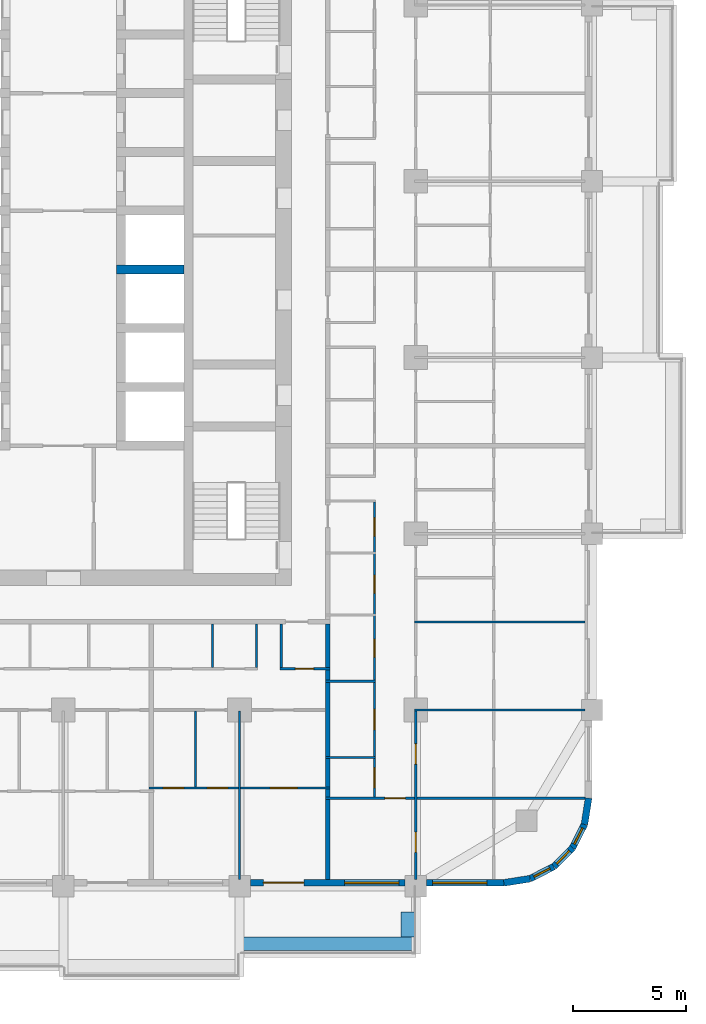
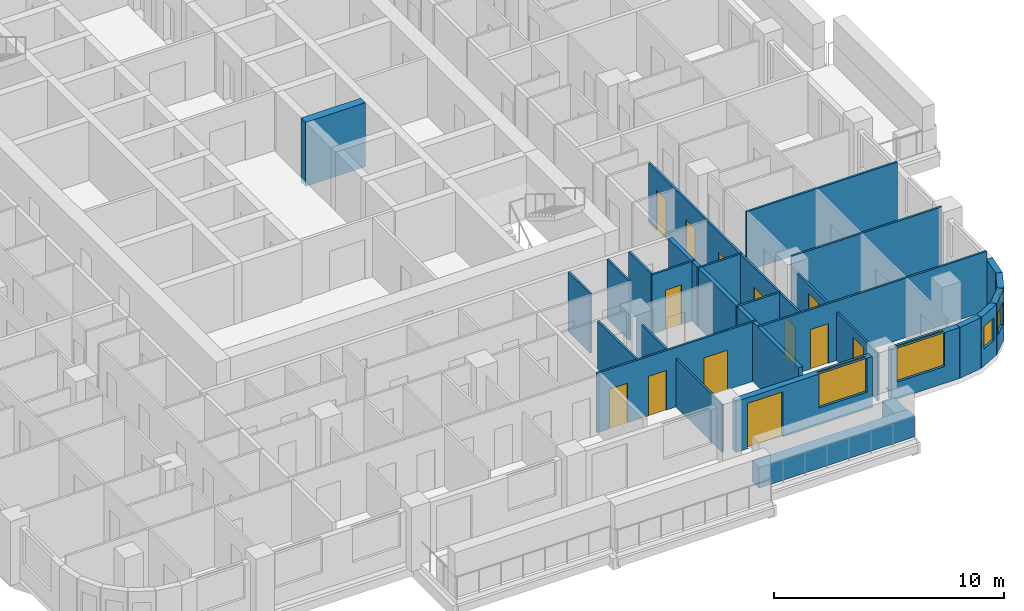
# One storey, part 7 of 17: 25 walls, 13 doors, 5 windows, 18 openings.
"""IFC4 building model written with IfcOpenShell, lengths in metres."""

from ifc_helpers import new_model, si_unit, direction, frame, frame_2d, origin, place, context, subcontext, project, spatial, rectangle, extrude, material, layer, layer_set, type_object, element, fill, save


model = new_model("IFC4")

# Units and contexts
model_context = context("Model", 3, precision=1e-05, world=origin(), true_north=direction((0.0, 1.0)))
body_context = subcontext(model_context, "Body", "Model", "MODEL_VIEW")
ifc_project = project(units=[si_unit("LENGTHUNIT", "METRE"), si_unit("AREAUNIT", "SQUARE_METRE"), si_unit("VOLUMEUNIT", "CUBIC_METRE"), si_unit("PLANEANGLEUNIT", "RADIAN"), si_unit("MASSUNIT", "GRAM", prefix="KILO")], contexts=[model_context])

# Site, building, storey
site_placement = place(None, origin())
site = spatial("IfcSite", under=ifc_project, at=site_placement, CompositionType="ELEMENT")
building_placement = place(site_placement, origin())
building = spatial("IfcBuilding", under=site, at=building_placement, Name="Ludao Terraces", CompositionType="ELEMENT")
storey_placement = place(building_placement, frame((0.0, 0.0, 88.60009765625)))
storey = spatial("IfcBuildingStorey", under=building, at=storey_placement, Name="L24", CompositionType="ELEMENT", Elevation=88.60009765625)

# Walls
ifc_material_1 = material(Name="Concrete C40", Category="concrete")
ifc_layer_1 = layer(ifc_material_1, 0.60009765625)
ifc_layer_set_1 = layer_set([ifc_layer_1], Name="ENV Planter trough 600")
wall_type_1 = type_object("IfcWallType", Name="ENV Planter trough 600", PredefinedType="USERDEFINED", material=ifc_layer_set_1)
wall_1_placement = place(storey_placement, frame((92.800048828125, 39.050048828125, 0.0), z_axis=(0.0, 0.0, 1.0), x_axis=(1.0, 0.0, 0.0)))
element("IfcWall", 1, at=wall_1_placement, inside=storey, type_object=wall_type_1, Name="PL-L24-S4", ObjectType="PLANTER", PredefinedType="USERDEFINED", context=body_context, shape_type="SweptSolid", body=[
    extrude(rectangle(XDim=7.800048828125, YDim=0.60009765625, at=frame_2d((3.89990234375, 0.0))), origin(), (0.0, 0.0, 1.0), 1.099853515625),
])
wall_2_placement = place(storey_placement, frame((100.25, 39.35009765625, 0.0), z_axis=(0.0, 0.0, 1.0), x_axis=(0.0, 1.0, 0.0)))
element("IfcWall", 2, at=wall_2_placement, inside=storey, type_object=wall_type_1, Name="PL-L24-S4-SB", ObjectType="PLANTER", PredefinedType="USERDEFINED", context=body_context, shape_type="SweptSolid", body=[
    extrude(rectangle(XDim=1.099853515625, YDim=0.60009765625, at=frame_2d((0.5498046875, 0.0))), origin(), (0.0, 0.0, 1.0), 1.099853515625),
])

# Wall, openings, door, window
ifc_material_2 = material(Name="Granite cladding", Category="masonry")
ifc_layer_2 = layer(ifc_material_2, 0.0400390625, Category="stone")
ifc_material_3 = material(Name="Mineral wool")
ifc_layer_3 = layer(ifc_material_3, 0.06005859375)
ifc_layer_4 = layer(ifc_material_1, 0.199951171875, Category="concrete")
ifc_layer_set_2 = layer_set([ifc_layer_2, ifc_layer_3, ifc_layer_4], Name="ENV Stone-clad wall 300")
wall_type_2 = type_object("IfcWallType", Name="ENV Stone-clad wall 300", PredefinedType="SOLIDWALL", material=ifc_layer_set_2)
wall_3_placement = place(storey_placement, frame((93.27490234375, 41.75, 0.0), z_axis=(0.0, 0.0, 1.0), x_axis=(1.0, 0.0, 0.0)))
wall_3 = element("IfcWall", 3, at=wall_3_placement, inside=storey, type_object=wall_type_2, Name="EW-L24-S5", PredefinedType="SOLIDWALL", context=body_context, shape_type="SweptSolid", body=[
    extrude(rectangle(XDim=6.85009765625, YDim=0.300048828125, at=frame_2d((3.425048828125, 0.0))), origin(), (0.0, 0.0, 1.0), 2.699951171875),
])
opening_1_placement = place(wall_3_placement, frame((0.574951171875, 0.0, 0.0)))
opening_1 = element("IfcOpeningElement", 4, at=opening_1_placement, cuts=wall_3, Name="Opening BD", PredefinedType="OPENING", context=body_context, shape_type="SweptSolid", body=[
    extrude(rectangle(XDim=1.800048828125, YDim=2.39990234375, at=frame_2d((0.89990234375, 1.199951171875))), frame((0.0, 0.16015625, 0.0), z_axis=(0.0, -1.0, 0.0), x_axis=(1.0, 0.0, 0.0)), (0.0, 0.0, 1.0), 0.320068359375),
])
opening_2_placement = place(wall_3_placement, frame((4.175048828125, 0.0, 0.89990234375)))
opening_2 = element("IfcOpeningElement", 5, at=opening_2_placement, cuts=wall_3, Name="Opening W1", PredefinedType="OPENING", context=body_context, shape_type="SweptSolid", body=[
    extrude(rectangle(XDim=2.39990234375, YDim=1.800048828125, at=frame_2d((1.199951171875, 0.89990234375))), frame((0.0, 0.16015625, 0.0), z_axis=(0.0, -1.0, 0.0), x_axis=(1.0, 0.0, 0.0)), (0.0, 0.0, 1.0), 0.320068359375),
])
ifc_material_4 = material(Name="Aluminium glazed door", Category="aluminium")
ifc_layer_5 = layer(ifc_material_4, 0.06005859375)
ifc_layer_set_3 = layer_set([ifc_layer_5], Name="ENV Balcony door BD 1800x2400")
door_type_1 = type_object("IfcDoorType", Name="ENV Balcony door BD 1800x2400", OperationType="DOUBLE_DOOR_SINGLE_SWING", PredefinedType="DOOR", material=ifc_layer_set_3)
door_1_placement = place(opening_1_placement, origin())
door_1 = element("IfcDoor", 6, at=door_1_placement, inside=storey, type_object=door_type_1, Name="BD-L24-S5-1", OperationType="DOUBLE_DOOR_SINGLE_SWING", OverallHeight=2.39990234375, OverallWidth=1.800048828125, PredefinedType="DOOR", context=body_context, shape_type="SweptSolid", body=[
    extrude(rectangle(XDim=1.800048828125, YDim=2.39990234375, at=frame_2d((0.89990234375, 1.199951171875))), frame((0.0, 0.02490234375, 0.0), z_axis=(0.0, -1.0, 0.0), x_axis=(1.0, 0.0, 0.0)), (0.0, 0.0, 1.0), 0.050048828125),
])
fill(opening_1, door_1)
ifc_material_5 = material(Name="Clear glass in aluminium frame", Category="aluminium")
ifc_layer_6 = layer(ifc_material_5, 0.06005859375)
ifc_layer_set_4 = layer_set([ifc_layer_6], Name="ENV Window W1 2400x1800")
window_type_1 = type_object("IfcWindowType", Name="ENV Window W1 2400x1800", PartitioningType="DOUBLE_PANEL_VERTICAL", PredefinedType="WINDOW", material=ifc_layer_set_4)
window_1_placement = place(opening_2_placement, origin())
window_1 = element("IfcWindow", 7, at=window_1_placement, inside=storey, type_object=window_type_1, Name="W-L24-S5-2", OverallHeight=1.800048828125, OverallWidth=2.39990234375, PartitioningType="DOUBLE_PANEL_VERTICAL", PredefinedType="WINDOW", context=body_context, shape_type="SweptSolid", body=[
    extrude(rectangle(XDim=2.39990234375, YDim=1.800048828125, at=frame_2d((1.199951171875, 0.89990234375))), frame((0.0, 0.030029296875, 0.0), z_axis=(0.0, -1.0, 0.0), x_axis=(1.0, 0.0, 0.0)), (0.0, 0.0, 1.0), 0.06005859375),
])
fill(opening_2, window_1)

# Wall, opening, window
wall_4_placement = place(storey_placement, frame((101.074951171875, 41.75, 0.0), z_axis=(0.0, 0.0, 1.0), x_axis=(1.0, 0.0, 0.0)))
wall_4 = element("IfcWall", 8, at=wall_4_placement, inside=storey, type_object=wall_type_2, Name="EW-L24-S6", PredefinedType="SOLIDWALL", context=body_context, shape_type="SweptSolid", body=[
    extrude(rectangle(XDim=3.425048828125, YDim=0.300048828125, at=frame_2d((1.71240234375, 0.0))), origin(), (0.0, 0.0, 1.0), 2.699951171875),
])
opening_3_placement = place(wall_4_placement, frame((0.27490234375, 0.0, 0.89990234375)))
opening_3 = element("IfcOpeningElement", 9, at=opening_3_placement, cuts=wall_4, Name="Opening W1", PredefinedType="OPENING", context=body_context, shape_type="SweptSolid", body=[
    extrude(rectangle(XDim=2.39990234375, YDim=1.800048828125, at=frame_2d((1.199951171875, 0.89990234375))), frame((0.0, 0.16015625, 0.0), z_axis=(0.0, -1.0, 0.0), x_axis=(1.0, 0.0, 0.0)), (0.0, 0.0, 1.0), 0.320068359375),
])
window_2_placement = place(opening_3_placement, origin())
window_2 = element("IfcWindow", 10, at=window_2_placement, inside=storey, type_object=window_type_1, Name="W-L24-S6-1", OverallHeight=1.800048828125, OverallWidth=2.39990234375, PartitioningType="DOUBLE_PANEL_VERTICAL", PredefinedType="WINDOW", context=body_context, shape_type="SweptSolid", body=[
    extrude(rectangle(XDim=2.39990234375, YDim=1.800048828125, at=frame_2d((1.199951171875, 0.89990234375))), frame((0.0, 0.030029296875, 0.0), z_axis=(0.0, -1.0, 0.0), x_axis=(1.0, 0.0, 0.0)), (0.0, 0.0, 1.0), 0.06005859375),
])
fill(opening_3, window_2)

# Wall
wall_5_placement = place(storey_placement, frame((104.5, 41.75, 0.0), z_axis=(0.0, 0.0, 1.0), x_axis=(0.987678452879, 0.156496880861, 0.0)))
element("IfcWall", 11, at=wall_5_placement, inside=storey, type_object=wall_type_2, Name="EW-L24-SE1", PredefinedType="SOLIDWALL", context=body_context, shape_type="SweptSolid", body=[
    extrude(rectangle(XDim=1.173095703125, YDim=0.300048828125, at=frame_2d((0.58642578125, 0.0))), origin(), (0.0, 0.0, 1.0), 2.699951171875),
])

# Wall, opening, window
wall_6_placement = place(storey_placement, frame((105.65869140625, 41.93359375, 0.0), z_axis=(0.0, 0.0, 1.0), x_axis=(0.890988677504, 0.454025524128, 0.0)))
wall_6 = element("IfcWall", 12, at=wall_6_placement, inside=storey, type_object=wall_type_2, Name="EW-L24-SE2", PredefinedType="SOLIDWALL", context=body_context, shape_type="SweptSolid", body=[
    extrude(rectangle(XDim=1.17333984375, YDim=0.300048828125, at=frame_2d((0.586669921875, 0.0))), origin(), (0.0, 0.0, 1.0), 2.699951171875),
])
opening_4_placement = place(wall_6_placement, frame((0.1865234375, 0.0, 0.89990234375)))
opening_4 = element("IfcOpeningElement", 13, at=opening_4_placement, cuts=wall_6, Name="Opening W3", PredefinedType="OPENING", context=body_context, shape_type="SweptSolid", body=[
    extrude(rectangle(XDim=0.800048828125, YDim=1.199951171875, at=frame_2d((0.39990234375, 0.60009765625))), frame((0.0, 0.16015625, 0.0), z_axis=(0.0, -1.0, 0.0), x_axis=(1.0, 0.0, 0.0)), (0.0, 0.0, 1.0), 0.320068359375),
])
ifc_layer_7 = layer(ifc_material_5, 0.06005859375)
ifc_layer_set_5 = layer_set([ifc_layer_7], Name="ENV Window W3 800x1200")
window_type_2 = type_object("IfcWindowType", Name="ENV Window W3 800x1200", PartitioningType="SINGLE_PANEL", PredefinedType="WINDOW", material=ifc_layer_set_5)
window_3_placement = place(opening_4_placement, origin())
window_3 = element("IfcWindow", 14, at=window_3_placement, inside=storey, type_object=window_type_2, Name="W-L24-SE2", OverallHeight=1.199951171875, OverallWidth=0.800048828125, PartitioningType="SINGLE_PANEL", PredefinedType="WINDOW", context=body_context, shape_type="SweptSolid", body=[
    extrude(rectangle(XDim=0.800048828125, YDim=1.199951171875, at=frame_2d((0.39990234375, 0.60009765625))), frame((0.0, 0.030029296875, 0.0), z_axis=(0.0, -1.0, 0.0), x_axis=(1.0, 0.0, 0.0)), (0.0, 0.0, 1.0), 0.06005859375),
])
fill(opening_4, window_3)

wall_7_placement = place(storey_placement, frame((106.7041015625, 42.46630859375, 0.0), z_axis=(0.0, 0.0, 1.0), x_axis=(0.707106781187, 0.707106781187, 0.0)))
wall_7 = element("IfcWall", 15, at=wall_7_placement, inside=storey, type_object=wall_type_2, Name="EW-L24-SE3", PredefinedType="SOLIDWALL", context=body_context, shape_type="SweptSolid", body=[
    extrude(rectangle(XDim=1.173095703125, YDim=0.300048828125, at=frame_2d((0.58642578125, 0.0))), origin(), (0.0, 0.0, 1.0), 2.699951171875),
])
opening_5_placement = place(wall_7_placement, frame((0.1865234375, 0.0, 0.89990234375)))
opening_5 = element("IfcOpeningElement", 16, at=opening_5_placement, cuts=wall_7, Name="Opening W3", PredefinedType="OPENING", context=body_context, shape_type="SweptSolid", body=[
    extrude(rectangle(XDim=0.800048828125, YDim=1.199951171875, at=frame_2d((0.39990234375, 0.60009765625))), frame((0.0, 0.16015625, 0.0), z_axis=(0.0, -1.0, 0.0), x_axis=(1.0, 0.0, 0.0)), (0.0, 0.0, 1.0), 0.320068359375),
])
window_4_placement = place(opening_5_placement, origin())
window_4 = element("IfcWindow", 17, at=window_4_placement, inside=storey, type_object=window_type_2, Name="W-L24-SE3", OverallHeight=1.199951171875, OverallWidth=0.800048828125, PartitioningType="SINGLE_PANEL", PredefinedType="WINDOW", context=body_context, shape_type="SweptSolid", body=[
    extrude(rectangle(XDim=0.800048828125, YDim=1.199951171875, at=frame_2d((0.39990234375, 0.60009765625))), frame((0.0, 0.030029296875, 0.0), z_axis=(0.0, -1.0, 0.0), x_axis=(1.0, 0.0, 0.0)), (0.0, 0.0, 1.0), 0.06005859375),
])
fill(opening_5, window_4)

wall_8_placement = place(storey_placement, frame((107.53369140625, 43.2958984375, 0.0), z_axis=(0.0, 0.0, 1.0), x_axis=(0.454025524128, 0.890988677504, 0.0)))
wall_8 = element("IfcWall", 18, at=wall_8_placement, inside=storey, type_object=wall_type_2, Name="EW-L24-SE4", PredefinedType="SOLIDWALL", context=body_context, shape_type="SweptSolid", body=[
    extrude(rectangle(XDim=1.17333984375, YDim=0.300048828125, at=frame_2d((0.586669921875, 0.0))), origin(), (0.0, 0.0, 1.0), 2.699951171875),
])
opening_6_placement = place(wall_8_placement, frame((0.1865234375, 0.0, 0.89990234375)))
opening_6 = element("IfcOpeningElement", 19, at=opening_6_placement, cuts=wall_8, Name="Opening W3", PredefinedType="OPENING", context=body_context, shape_type="SweptSolid", body=[
    extrude(rectangle(XDim=0.800048828125, YDim=1.199951171875, at=frame_2d((0.39990234375, 0.60009765625))), frame((0.0, 0.16015625, 0.0), z_axis=(0.0, -1.0, 0.0), x_axis=(1.0, 0.0, 0.0)), (0.0, 0.0, 1.0), 0.320068359375),
])
window_5_placement = place(opening_6_placement, origin())
window_5 = element("IfcWindow", 20, at=window_5_placement, inside=storey, type_object=window_type_2, Name="W-L24-SE4", OverallHeight=1.199951171875, OverallWidth=0.800048828125, PartitioningType="SINGLE_PANEL", PredefinedType="WINDOW", context=body_context, shape_type="SweptSolid", body=[
    extrude(rectangle(XDim=0.800048828125, YDim=1.199951171875, at=frame_2d((0.39990234375, 0.60009765625))), frame((0.0, 0.030029296875, 0.0), z_axis=(0.0, -1.0, 0.0), x_axis=(1.0, 0.0, 0.0)), (0.0, 0.0, 1.0), 0.06005859375),
])
fill(opening_6, window_5)

# Wall
wall_9_placement = place(storey_placement, frame((108.06640625, 44.34130859375, 0.0), z_axis=(0.0, 0.0, 1.0), x_axis=(0.156496880861, 0.987678452879, 0.0)))
element("IfcWall", 21, at=wall_9_placement, inside=storey, type_object=wall_type_2, Name="EW-L24-SE5", PredefinedType="SOLIDWALL", context=body_context, shape_type="SweptSolid", body=[
    extrude(rectangle(XDim=1.173095703125, YDim=0.300048828125, at=frame_2d((0.58642578125, 0.0))), origin(), (0.0, 0.0, 1.0), 2.699951171875),
])

# Wall, opening, door
ifc_material_6 = material(Name="Gypsum plasterboard", Category="gypsum")
ifc_layer_8 = layer(ifc_material_6, 0.012451171875, Category="gypsum")
ifc_layer_9 = layer(ifc_material_3, 0.06005859375, Name="insulation")
ifc_material_7 = material(Name="Steel Q235", Category="steel")
ifc_layer_10 = layer(ifc_material_7, 0.014892578125, Name="stud")
ifc_layer_11 = layer(ifc_material_6, 0.012451171875, Category="gypsum")
ifc_layer_set_6 = layer_set([ifc_layer_8, ifc_layer_9, ifc_layer_10, ifc_layer_11], Name="INT Partition 100")
wall_type_3 = type_object("IfcWallType", Name="INT Partition 100", PredefinedType="PARTITIONING", material=ifc_layer_set_6)
wall_10_placement = place(storey_placement, frame((96.60009765625, 45.5, 0.0), z_axis=(0.0, 0.0, 1.0), x_axis=(1.0, 0.0, 0.0)))
wall_10 = element("IfcWall", 22, at=wall_10_placement, inside=storey, type_object=wall_type_3, Name="PW-L24-PW001", PredefinedType="PARTITIONING", context=body_context, shape_type="SweptSolid", body=[
    extrude(rectangle(XDim=11.5, YDim=0.10009765625, at=frame_2d((5.75, 0.0))), origin(), (0.0, 0.0, 1.0), 3.14990234375),
])
opening_7_placement = place(wall_10_placement, frame((2.635009765625, 0.0, 0.0)))
opening_7 = element("IfcOpeningElement", 23, at=opening_7_placement, cuts=wall_10, Name="Opening R07-006", PredefinedType="OPENING", context=body_context, shape_type="SweptSolid", body=[
    extrude(rectangle(XDim=0.89990234375, YDim=2.10009765625, at=frame_2d((0.449951171875, 1.050048828125))), frame((0.0, 0.06005859375, 0.0), z_axis=(0.0, -1.0, 0.0), x_axis=(1.0, 0.0, 0.0)), (0.0, 0.0, 1.0), 0.1201171875),
])
ifc_material_8 = material(Name="Timber door leaf", Category="wood")
door_type_2 = type_object("IfcDoorType", Name="INT Room door 900", OperationType="SINGLE_SWING_LEFT", PredefinedType="DOOR", material=ifc_material_8)
door_2_placement = place(opening_7_placement, origin())
door_2 = element("IfcDoor", 24, at=door_2_placement, inside=storey, type_object=door_type_2, Name="DOOR 006", OperationType="SINGLE_SWING_LEFT", OverallHeight=2.10009765625, OverallWidth=0.89990234375, PredefinedType="DOOR", context=body_context, shape_type="SweptSolid", body=[
    extrude(rectangle(XDim=0.89990234375, YDim=2.10009765625, at=frame_2d((0.449951171875, 1.050048828125))), frame((0.0, 0.02490234375, 0.0), z_axis=(0.0, -1.0, 0.0), x_axis=(1.0, 0.0, 0.0)), (0.0, 0.0, 1.0), 0.050048828125),
])
fill(opening_7, door_2)

# Wall, openings, doors
wall_11_placement = place(storey_placement, frame((88.800048828125, 45.949951171875, 0.0), z_axis=(0.0, 0.0, 1.0), x_axis=(1.0, 0.0, 0.0)))
wall_11 = element("IfcWall", 25, at=wall_11_placement, inside=storey, type_object=wall_type_3, Name="PW-L24-PW003", PredefinedType="PARTITIONING", context=body_context, shape_type="SweptSolid", body=[
    extrude(rectangle(XDim=8.0, YDim=0.10009765625, at=frame_2d((4.0, 0.0))), origin(), (0.0, 0.0, 1.0), 3.14990234375),
])
opening_8_placement = place(wall_11_placement, frame((0.625, 0.0, 0.0)))
opening_8 = element("IfcOpeningElement", 26, at=opening_8_placement, cuts=wall_11, Name="Opening R07-014", PredefinedType="OPENING", context=body_context, shape_type="SweptSolid", body=[
    extrude(rectangle(XDim=0.89990234375, YDim=2.10009765625, at=frame_2d((0.449951171875, 1.050048828125))), frame((0.0, 0.06005859375, 0.0), z_axis=(0.0, -1.0, 0.0), x_axis=(1.0, 0.0, 0.0)), (0.0, 0.0, 1.0), 0.1201171875),
])
opening_9_placement = place(wall_11_placement, frame((2.574951171875, 0.0, 0.0)))
opening_9 = element("IfcOpeningElement", 27, at=opening_9_placement, cuts=wall_11, Name="Opening R07-015", PredefinedType="OPENING", context=body_context, shape_type="SweptSolid", body=[
    extrude(rectangle(XDim=0.89990234375, YDim=2.10009765625, at=frame_2d((0.449951171875, 1.050048828125))), frame((0.0, 0.06005859375, 0.0), z_axis=(0.0, -1.0, 0.0), x_axis=(1.0, 0.0, 0.0)), (0.0, 0.0, 1.0), 0.1201171875),
])
opening_10_placement = place(wall_11_placement, frame((5.35009765625, 0.0, 0.0)))
opening_10 = element("IfcOpeningElement", 28, at=opening_10_placement, cuts=wall_11, Name="Opening R07-016", PredefinedType="OPENING", context=body_context, shape_type="SweptSolid", body=[
    extrude(rectangle(XDim=1.199951171875, YDim=2.10009765625, at=frame_2d((0.60009765625, 1.050048828125))), frame((0.0, 0.06005859375, 0.0), z_axis=(0.0, -1.0, 0.0), x_axis=(1.0, 0.0, 0.0)), (0.0, 0.0, 1.0), 0.1201171875),
])
door_type_3 = type_object("IfcDoorType", Name="INT Bathroom door 900", OperationType="SINGLE_SWING_LEFT", PredefinedType="DOOR", material=ifc_material_8)
door_3_placement = place(opening_8_placement, origin())
door_3 = element("IfcDoor", 29, at=door_3_placement, inside=storey, type_object=door_type_3, Name="DOOR 014", OperationType="SINGLE_SWING_LEFT", OverallHeight=2.10009765625, OverallWidth=0.89990234375, PredefinedType="DOOR", context=body_context, shape_type="SweptSolid", body=[
    extrude(rectangle(XDim=0.89990234375, YDim=2.10009765625, at=frame_2d((0.449951171875, 1.050048828125))), frame((0.0, 0.02490234375, 0.0), z_axis=(0.0, -1.0, 0.0), x_axis=(1.0, 0.0, 0.0)), (0.0, 0.0, 1.0), 0.050048828125),
])
fill(opening_8, door_3)
door_type_4 = type_object("IfcDoorType", Name="INT Double door 1200", OperationType="DOUBLE_DOOR_SINGLE_SWING", PredefinedType="DOOR", material=ifc_material_8)
door_4_placement = place(opening_10_placement, origin())
door_4 = element("IfcDoor", 30, at=door_4_placement, inside=storey, type_object=door_type_4, Name="DOOR 016", OperationType="DOUBLE_DOOR_SINGLE_SWING", OverallHeight=2.10009765625, OverallWidth=1.199951171875, PredefinedType="DOOR", context=body_context, shape_type="SweptSolid", body=[
    extrude(rectangle(XDim=1.199951171875, YDim=2.10009765625, at=frame_2d((0.60009765625, 1.050048828125))), frame((0.0, 0.02490234375, 0.0), z_axis=(0.0, -1.0, 0.0), x_axis=(1.0, 0.0, 0.0)), (0.0, 0.0, 1.0), 0.050048828125),
])
fill(opening_10, door_4)
door_5_placement = place(opening_9_placement, origin())
door_5 = element("IfcDoor", 31, at=door_5_placement, inside=storey, type_object=door_type_2, Name="DOOR 015", OperationType="SINGLE_SWING_RIGHT", OverallHeight=2.10009765625, OverallWidth=0.89990234375, PredefinedType="DOOR", context=body_context, shape_type="SweptSolid", body=[
    extrude(rectangle(XDim=0.89990234375, YDim=2.10009765625, at=frame_2d((0.449951171875, 1.050048828125))), frame((0.0, 0.02490234375, 0.0), z_axis=(0.0, -1.0, 0.0), x_axis=(1.0, 0.0, 0.0)), (0.0, 0.0, 1.0), 0.050048828125),
])
fill(opening_9, door_5)

# Walls
wall_12_placement = place(storey_placement, frame((96.60009765625, 47.300048828125, 0.0), z_axis=(0.0, 0.0, 1.0), x_axis=(1.0, 0.0, 0.0)))
element("IfcWall", 32, at=wall_12_placement, inside=storey, type_object=wall_type_3, Name="PW-L24-PW004", PredefinedType="PARTITIONING", context=body_context, shape_type="SweptSolid", body=[
    extrude(rectangle(XDim=2.219970703125, YDim=0.10009765625, at=frame_2d((1.10986328125, 0.0))), origin(), (0.0, 0.0, 1.0), 3.14990234375),
])
wall_13_placement = place(storey_placement, frame((100.550048828125, 49.39990234375, 0.0), z_axis=(0.0, 0.0, 1.0), x_axis=(1.0, 0.0, 0.0)))
element("IfcWall", 33, at=wall_13_placement, inside=storey, type_object=wall_type_3, Name="PW-L24-PW009", PredefinedType="PARTITIONING", context=body_context, shape_type="SweptSolid", body=[
    extrude(rectangle(XDim=7.550048828125, YDim=0.10009765625, at=frame_2d((3.77490234375, 0.0))), origin(), (0.0, 0.0, 1.0), 3.14990234375),
])
wall_14_placement = place(storey_placement, frame((96.60009765625, 50.669921875, 0.0), z_axis=(0.0, 0.0, 1.0), x_axis=(1.0, 0.0, 0.0)))
element("IfcWall", 34, at=wall_14_placement, inside=storey, type_object=wall_type_3, Name="PW-L24-PW011", PredefinedType="PARTITIONING", context=body_context, shape_type="SweptSolid", body=[
    extrude(rectangle(XDim=2.219970703125, YDim=0.10009765625, at=frame_2d((1.10986328125, 0.0))), origin(), (0.0, 0.0, 1.0), 3.14990234375),
])

# Wall, opening, door
wall_15_placement = place(storey_placement, frame((94.60009765625, 51.22998046875, 0.0), z_axis=(0.0, 0.0, 1.0), x_axis=(1.0, 0.0, 0.0)))
wall_15 = element("IfcWall", 35, at=wall_15_placement, inside=storey, type_object=wall_type_3, Name="PW-L24-PW014", PredefinedType="PARTITIONING", context=body_context, shape_type="SweptSolid", body=[
    extrude(rectangle(XDim=2.199951171875, YDim=0.10009765625, at=frame_2d((1.10009765625, 0.0))), origin(), (0.0, 0.0, 1.0), 3.14990234375),
])
opening_11_placement = place(wall_15_placement, frame((0.675048828125, 0.0, 0.0)))
opening_11 = element("IfcOpeningElement", 36, at=opening_11_placement, cuts=wall_15, Name="Opening R07-040", PredefinedType="OPENING", context=body_context, shape_type="SweptSolid", body=[
    extrude(rectangle(XDim=0.800048828125, YDim=2.10009765625, at=frame_2d((0.39990234375, 1.050048828125))), frame((0.0, 0.06005859375, 0.0), z_axis=(0.0, -1.0, 0.0), x_axis=(1.0, 0.0, 0.0)), (0.0, 0.0, 1.0), 0.1201171875),
])
door_type_5 = type_object("IfcDoorType", Name="INT Store door 800", OperationType="SINGLE_SWING_LEFT", PredefinedType="DOOR", material=ifc_material_8)
door_6_placement = place(opening_11_placement, origin())
door_6 = element("IfcDoor", 37, at=door_6_placement, inside=storey, type_object=door_type_5, Name="DOOR 040", OperationType="SINGLE_SWING_LEFT", OverallHeight=2.10009765625, OverallWidth=0.800048828125, PredefinedType="DOOR", context=body_context, shape_type="SweptSolid", body=[
    extrude(rectangle(XDim=0.800048828125, YDim=2.10009765625, at=frame_2d((0.39990234375, 1.050048828125))), frame((0.0, 0.02490234375, 0.0), z_axis=(0.0, -1.0, 0.0), x_axis=(1.0, 0.0, 0.0)), (0.0, 0.0, 1.0), 0.050048828125),
])
fill(opening_11, door_6)

# Walls
wall_16_placement = place(storey_placement, frame((100.550048828125, 53.300048828125, 0.0), z_axis=(0.0, 0.0, 1.0), x_axis=(1.0, 0.0, 0.0)))
element("IfcWall", 38, at=wall_16_placement, inside=storey, type_object=wall_type_3, Name="PW-L24-PW018", PredefinedType="PARTITIONING", context=body_context, shape_type="SweptSolid", body=[
    extrude(rectangle(XDim=7.550048828125, YDim=0.10009765625, at=frame_2d((3.77490234375, 0.0))), origin(), (0.0, 0.0, 1.0), 3.14990234375),
])
wall_17_placement = place(storey_placement, frame((90.85009765625, 46.0, 0.0), z_axis=(0.0, 0.0, 1.0), x_axis=(0.0, 1.0, 0.0)))
element("IfcWall", 39, at=wall_17_placement, inside=storey, type_object=wall_type_3, Name="PW-L24-PW108", PredefinedType="PARTITIONING", context=body_context, shape_type="SweptSolid", body=[
    extrude(rectangle(XDim=3.35009765625, YDim=0.10009765625, at=frame_2d((1.675048828125, 0.0))), origin(), (0.0, 0.0, 1.0), 3.14990234375),
])
wall_18_placement = place(storey_placement, frame((91.60009765625, 51.280029296875, 0.0), z_axis=(0.0, 0.0, 1.0), x_axis=(0.0, 1.0, 0.0)))
element("IfcWall", 40, at=wall_18_placement, inside=storey, type_object=wall_type_3, Name="PW-L24-PW109", PredefinedType="PARTITIONING", context=body_context, shape_type="SweptSolid", body=[
    extrude(rectangle(XDim=1.920166015625, YDim=0.10009765625, at=frame_2d((0.9599609375, 0.0))), origin(), (0.0, 0.0, 1.0), 3.14990234375),
])
wall_19_placement = place(storey_placement, frame((92.800048828125, 41.900146484375, 0.0), z_axis=(0.0, 0.0, 1.0), x_axis=(0.0, 1.0, 0.0)))
element("IfcWall", 41, at=wall_19_placement, inside=storey, type_object=wall_type_3, Name="PW-L24-PW110", PredefinedType="PARTITIONING", context=body_context, shape_type="SweptSolid", body=[
    extrude(rectangle(XDim=7.449951171875, YDim=0.10009765625, at=frame_2d((3.72509765625, 0.0))), origin(), (0.0, 0.0, 1.0), 2.5498046875),
])
for number, where, z_axis, x_axis, name in (
    (42, (93.550048828125, 51.280029296875, 0.0), (0.0, 0.0, 1.0), (0.0, 1.0, 0.0), "PW-L24-PW112"),
    (43, (94.64990234375, 51.280029296875, 0.0), (0.0, 0.0, 1.0), (0.0, 1.0, 0.0), "PW-L24-PW113"),
):
    element("IfcWall", number, at=place(storey_placement, frame(where, z_axis=z_axis, x_axis=x_axis)), inside=storey, type_object=wall_type_3, Name=name, PredefinedType="PARTITIONING", context=body_context, shape_type="SweptSolid", body=[
        extrude(rectangle(XDim=1.920166015625, YDim=0.10009765625, at=frame_2d((0.9599609375, 0.0))), origin(), (0.0, 0.0, 1.0), 3.14990234375),
    ])

# Wall, openings, doors
wall_20_placement = place(storey_placement, frame((98.77001953125, 45.550048828125, 0.0), z_axis=(0.0, 0.0, 1.0), x_axis=(0.0, 1.0, 0.0)))
wall_20 = element("IfcWall", 44, at=wall_20_placement, inside=storey, type_object=wall_type_3, Name="PW-L24-PW117", PredefinedType="PARTITIONING", context=body_context, shape_type="SweptSolid", body=[
    extrude(rectangle(XDim=13.050048828125, YDim=0.10009765625, at=frame_2d((6.52490234375, 0.0))), origin(), (0.0, 0.0, 1.0), 3.14990234375),
])
opening_12_placement = place(wall_20_placement, frame((0.39990234375, 0.0, 0.0)))
opening_12 = element("IfcOpeningElement", 45, at=opening_12_placement, cuts=wall_20, Name="Opening R07-017", PredefinedType="OPENING", context=body_context, shape_type="SweptSolid", body=[
    extrude(rectangle(XDim=0.89990234375, YDim=2.10009765625, at=frame_2d((0.449951171875, 1.050048828125))), frame((0.0, 0.06005859375, 0.0), z_axis=(0.0, -1.0, 0.0), x_axis=(1.0, 0.0, 0.0)), (0.0, 0.0, 1.0), 0.1201171875),
])
opening_13_placement = place(wall_20_placement, frame((2.985107421875, 0.0, 0.0)))
opening_13 = element("IfcOpeningElement", 46, at=opening_13_placement, cuts=wall_20, Name="Opening R07-024", PredefinedType="OPENING", context=body_context, shape_type="SweptSolid", body=[
    extrude(rectangle(XDim=0.89990234375, YDim=2.10009765625, at=frame_2d((0.449951171875, 1.050048828125))), frame((0.0, 0.06005859375, 0.0), z_axis=(0.0, -1.0, 0.0), x_axis=(1.0, 0.0, 0.0)), (0.0, 0.0, 1.0), 0.1201171875),
])
opening_14_placement = place(wall_20_placement, frame((6.18505859375, 0.0, 0.0)))
opening_14 = element("IfcOpeningElement", 47, at=opening_14_placement, cuts=wall_20, Name="Opening R07-046", PredefinedType="OPENING", context=body_context, shape_type="SweptSolid", body=[
    extrude(rectangle(XDim=0.800048828125, YDim=2.10009765625, at=frame_2d((0.39990234375, 1.050048828125))), frame((0.0, 0.06005859375, 0.0), z_axis=(0.0, -1.0, 0.0), x_axis=(1.0, 0.0, 0.0)), (0.0, 0.0, 1.0), 0.1201171875),
])
opening_15_placement = place(wall_20_placement, frame((9.02490234375, 0.0, 0.0)))
opening_15 = element("IfcOpeningElement", 48, at=opening_15_placement, cuts=wall_20, Name="Opening R07-052", PredefinedType="OPENING", context=body_context, shape_type="SweptSolid", body=[
    extrude(rectangle(XDim=0.800048828125, YDim=2.10009765625, at=frame_2d((0.39990234375, 1.050048828125))), frame((0.0, 0.06005859375, 0.0), z_axis=(0.0, -1.0, 0.0), x_axis=(1.0, 0.0, 0.0)), (0.0, 0.0, 1.0), 0.1201171875),
])
opening_16_placement = place(wall_20_placement, frame((11.550048828125, 0.0, 0.0)))
opening_16 = element("IfcOpeningElement", 49, at=opening_16_placement, cuts=wall_20, Name="Opening R07-059", PredefinedType="OPENING", context=body_context, shape_type="SweptSolid", body=[
    extrude(rectangle(XDim=0.800048828125, YDim=2.10009765625, at=frame_2d((0.39990234375, 1.050048828125))), frame((0.0, 0.06005859375, 0.0), z_axis=(0.0, -1.0, 0.0), x_axis=(1.0, 0.0, 0.0)), (0.0, 0.0, 1.0), 0.1201171875),
])
door_7_placement = place(opening_12_placement, origin())
door_7 = element("IfcDoor", 50, at=door_7_placement, inside=storey, type_object=door_type_3, Name="DOOR 017", OperationType="SINGLE_SWING_LEFT", OverallHeight=2.10009765625, OverallWidth=0.89990234375, PredefinedType="DOOR", context=body_context, shape_type="SweptSolid", body=[
    extrude(rectangle(XDim=0.89990234375, YDim=2.10009765625, at=frame_2d((0.449951171875, 1.050048828125))), frame((0.0, 0.02490234375, 0.0), z_axis=(0.0, -1.0, 0.0), x_axis=(1.0, 0.0, 0.0)), (0.0, 0.0, 1.0), 0.050048828125),
])
fill(opening_12, door_7)
door_8_placement = place(opening_13_placement, origin())
door_8 = element("IfcDoor", 51, at=door_8_placement, inside=storey, type_object=door_type_2, Name="DOOR 024", OperationType="SINGLE_SWING_LEFT", OverallHeight=2.10009765625, OverallWidth=0.89990234375, PredefinedType="DOOR", context=body_context, shape_type="SweptSolid", body=[
    extrude(rectangle(XDim=0.89990234375, YDim=2.10009765625, at=frame_2d((0.449951171875, 1.050048828125))), frame((0.0, 0.02490234375, 0.0), z_axis=(0.0, -1.0, 0.0), x_axis=(1.0, 0.0, 0.0)), (0.0, 0.0, 1.0), 0.050048828125),
])
fill(opening_13, door_8)
door_9_placement = place(opening_14_placement, origin())
door_9 = element("IfcDoor", 52, at=door_9_placement, inside=storey, type_object=door_type_5, Name="DOOR 046", OperationType="SINGLE_SWING_LEFT", OverallHeight=2.10009765625, OverallWidth=0.800048828125, PredefinedType="DOOR", context=body_context, shape_type="SweptSolid", body=[
    extrude(rectangle(XDim=0.800048828125, YDim=2.10009765625, at=frame_2d((0.39990234375, 1.050048828125))), frame((0.0, 0.02490234375, 0.0), z_axis=(0.0, -1.0, 0.0), x_axis=(1.0, 0.0, 0.0)), (0.0, 0.0, 1.0), 0.050048828125),
])
fill(opening_14, door_9)
door_10_placement = place(opening_15_placement, origin())
door_10 = element("IfcDoor", 53, at=door_10_placement, inside=storey, type_object=door_type_5, Name="DOOR 052", OperationType="SINGLE_SWING_LEFT", OverallHeight=2.10009765625, OverallWidth=0.800048828125, PredefinedType="DOOR", context=body_context, shape_type="SweptSolid", body=[
    extrude(rectangle(XDim=0.800048828125, YDim=2.10009765625, at=frame_2d((0.39990234375, 1.050048828125))), frame((0.0, 0.02490234375, 0.0), z_axis=(0.0, -1.0, 0.0), x_axis=(1.0, 0.0, 0.0)), (0.0, 0.0, 1.0), 0.050048828125),
])
fill(opening_15, door_10)
door_11_placement = place(opening_16_placement, origin())
door_11 = element("IfcDoor", 54, at=door_11_placement, inside=storey, type_object=door_type_5, Name="DOOR 059", OperationType="SINGLE_SWING_LEFT", OverallHeight=2.10009765625, OverallWidth=0.800048828125, PredefinedType="DOOR", context=body_context, shape_type="SweptSolid", body=[
    extrude(rectangle(XDim=0.800048828125, YDim=2.10009765625, at=frame_2d((0.39990234375, 1.050048828125))), frame((0.0, 0.02490234375, 0.0), z_axis=(0.0, -1.0, 0.0), x_axis=(1.0, 0.0, 0.0)), (0.0, 0.0, 1.0), 0.050048828125),
])
fill(opening_16, door_11)

wall_21_placement = place(storey_placement, frame((100.60009765625, 41.900146484375, 0.0), z_axis=(0.0, 0.0, 1.0), x_axis=(0.0, 1.0, 0.0)))
wall_21 = element("IfcWall", 55, at=wall_21_placement, inside=storey, type_object=wall_type_3, Name="PW-L24-PW121", PredefinedType="PARTITIONING", context=body_context, shape_type="SweptSolid", body=[
    extrude(rectangle(XDim=7.499755859375, YDim=0.10009765625, at=frame_2d((3.75, 0.0))), origin(), (0.0, 0.0, 1.0), 2.5498046875),
])
opening_17_placement = place(wall_21_placement, frame((1.199951171875, 0.0, 0.0)))
opening_17 = element("IfcOpeningElement", 56, at=opening_17_placement, cuts=wall_21, Name="Opening R07-003", PredefinedType="OPENING", context=body_context, shape_type="SweptSolid", body=[
    extrude(rectangle(XDim=0.89990234375, YDim=2.10009765625, at=frame_2d((0.449951171875, 1.050048828125))), frame((0.0, 0.06005859375, 0.0), z_axis=(0.0, -1.0, 0.0), x_axis=(1.0, 0.0, 0.0)), (0.0, 0.0, 1.0), 0.1201171875),
])
opening_18_placement = place(wall_21_placement, frame((5.10009765625, 0.0, 0.0)))
opening_18 = element("IfcOpeningElement", 57, at=opening_18_placement, cuts=wall_21, Name="Opening R07-020", PredefinedType="OPENING", context=body_context, shape_type="SweptSolid", body=[
    extrude(rectangle(XDim=0.89990234375, YDim=2.10009765625, at=frame_2d((0.449951171875, 1.050048828125))), frame((0.0, 0.06005859375, 0.0), z_axis=(0.0, -1.0, 0.0), x_axis=(1.0, 0.0, 0.0)), (0.0, 0.0, 1.0), 0.1201171875),
])
door_12_placement = place(opening_17_placement, origin())
door_12 = element("IfcDoor", 58, at=door_12_placement, inside=storey, type_object=door_type_2, Name="DOOR 003", OperationType="SINGLE_SWING_RIGHT", OverallHeight=2.10009765625, OverallWidth=0.89990234375, PredefinedType="DOOR", context=body_context, shape_type="SweptSolid", body=[
    extrude(rectangle(XDim=0.89990234375, YDim=2.10009765625, at=frame_2d((0.449951171875, 1.050048828125))), frame((0.0, 0.02490234375, 0.0), z_axis=(0.0, -1.0, 0.0), x_axis=(1.0, 0.0, 0.0)), (0.0, 0.0, 1.0), 0.050048828125),
])
fill(opening_17, door_12)
door_13_placement = place(opening_18_placement, origin())
door_13 = element("IfcDoor", 59, at=door_13_placement, inside=storey, type_object=door_type_2, Name="DOOR 020", OperationType="SINGLE_SWING_RIGHT", OverallHeight=2.10009765625, OverallWidth=0.89990234375, PredefinedType="DOOR", context=body_context, shape_type="SweptSolid", body=[
    extrude(rectangle(XDim=0.89990234375, YDim=2.10009765625, at=frame_2d((0.449951171875, 1.050048828125))), frame((0.0, 0.02490234375, 0.0), z_axis=(0.0, -1.0, 0.0), x_axis=(1.0, 0.0, 0.0)), (0.0, 0.0, 1.0), 0.050048828125),
])
fill(opening_18, door_13)

# Walls
ifc_material_9 = material(Name="Autoclaved aerated concrete block B06 A3.5", Category="concrete")
ifc_layer_12 = layer(ifc_material_9, 0.199951171875)
ifc_layer_set_7 = layer_set([ifc_layer_12], Name="INT Party wall 200")
wall_type_4 = type_object("IfcWallType", Name="INT Party wall 200", PredefinedType="PARTITIONING", material=ifc_layer_set_7)
wall_22_placement = place(storey_placement, frame((96.699951171875, 41.900146484375, 0.0), z_axis=(0.0, 0.0, 1.0), x_axis=(0.0, 1.0, 0.0)))
element("IfcWall", 60, at=wall_22_placement, inside=storey, type_object=wall_type_4, Name="PW-L24-PW114", PredefinedType="PARTITIONING", context=body_context, shape_type="SweptSolid", body=[
    extrude(rectangle(XDim=11.300048828125, YDim=0.199951171875, at=frame_2d((5.64990234375, 0.0))), origin(), (0.0, 0.0, 1.0), 3.14990234375),
])
ifc_material_10 = material(Name="Concrete C60", Category="concrete")
ifc_layer_13 = layer(ifc_material_10, 0.39990234375)
ifc_layer_set_8 = layer_set([ifc_layer_13], Name="Shaft wall 400 C60")
wall_type_5 = type_object("IfcWallType", Name="Shaft wall 400 C60", PredefinedType="SOLIDWALL", material=ifc_layer_set_8)
wall_23_placement = place(storey_placement, frame((87.35009765625, 68.89990234375, -0.25), z_axis=(0.0, 0.0, 1.0), x_axis=(1.0, 0.0, 0.0)))
element("IfcWall", 61, at=wall_23_placement, inside=storey, type_object=wall_type_5, Name="Core wall L24 div-E4", PredefinedType="SOLIDWALL", context=body_context, shape_type="SweptSolid", body=[
    extrude(rectangle(XDim=3.0, YDim=0.39990234375, at=frame_2d((1.5, 0.0))), origin(), (0.0, 0.0, 1.0), 3.39990234375),
])

save(model, "model.ifc")
